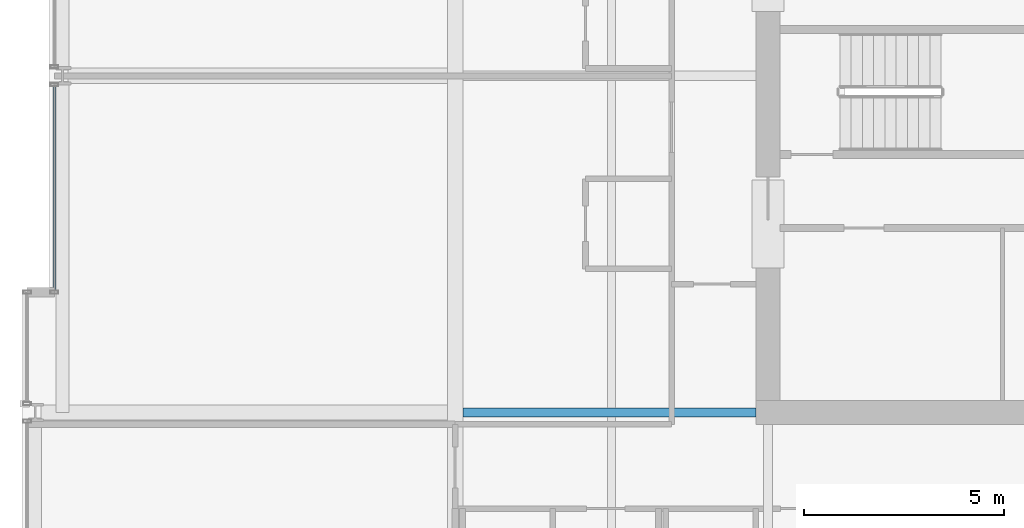
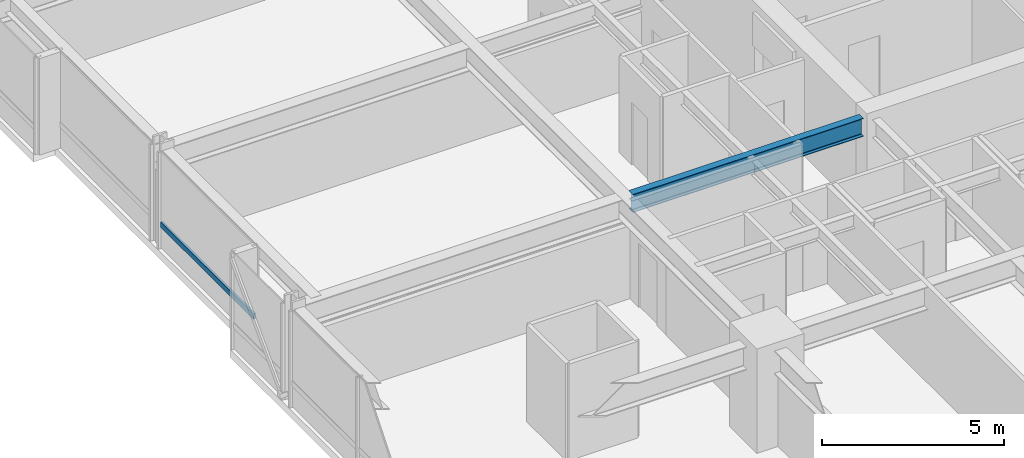
# One storey, part 8 of 35: 1 beam, 1 member, 1 element without a shape of its own.
"""IFC4 building model written with IfcOpenShell, lengths in metres."""

from ifc_helpers import new_model, si_unit, direction, frame, origin, origin_2d, place, context, subcontext, project, spatial, hollow_rectangle, i_section, extrude, material, layer, layer_set, material_profile, profile_set, type_object, element, aggregate, save


model = new_model("IFC4")

# Units and contexts
model_context = context("Model", 3, precision=1e-05, world=origin(), true_north=direction((0.0, 1.0)))
body_context = subcontext(model_context, "Body", "Model", "MODEL_VIEW")
ifc_project = project(units=[si_unit("LENGTHUNIT", "METRE"), si_unit("AREAUNIT", "SQUARE_METRE"), si_unit("VOLUMEUNIT", "CUBIC_METRE"), si_unit("PLANEANGLEUNIT", "RADIAN"), si_unit("MASSUNIT", "GRAM", prefix="KILO")], contexts=[model_context])

# Site, building, storey
site_placement = place(None, origin())
site = spatial("IfcSite", under=ifc_project, at=site_placement, CompositionType="ELEMENT")
building_placement = place(site_placement, origin())
building = spatial("IfcBuilding", under=site, at=building_placement, Name="Drelvath Grand Hotel", CompositionType="ELEMENT")
storey_placement = place(building_placement, frame((0.0, 0.0, 98.800048828125)))
storey = spatial("IfcBuildingStorey", under=building, at=storey_placement, Name="L24", CompositionType="ELEMENT", Elevation=98.800048828125)

# Curtain wall, member
ifc_material_1 = material(Name="Champagne Bronze Anodised Aluminium Frame", Category="aluminium")
ifc_layer = layer(ifc_material_1, 0.199951171875)
ifc_layer_set = layer_set([ifc_layer], Name="Champagne Bronze Anodised Aluminium Frame")
curtain_wall_type = type_object("IfcCurtainWallType", Name="Stick Curtain Wall CW-03 Champagne Bronze Mid-Rise", PredefinedType="NOTDEFINED", material=ifc_layer_set)
curtain_wall_placement = place(storey_placement, origin())
curtain_wall = element("IfcCurtainWall", 1, at=curtain_wall_placement, inside=storey, type_object=curtain_wall_type, Name="L24 CW-03 Curtain Wall CW03-L24-WM1", PredefinedType="NOTDEFINED")
ifc_material_profile_1 = material_profile(ifc_material_1, hollow_rectangle(XDim=0.074951171875, YDim=0.179931640625, WallThickness=0.0048828125, at=origin_2d()), Name="HSS180X75X5")
ifc_profile_set_1 = profile_set([ifc_material_profile_1], Name="Champagne Bronze Anodised Aluminium Frame")
member_type = type_object("IfcMemberType", Name="Curtain Wall Horizontal Transom CW-03 HSS180X75X5", PredefinedType="USERDEFINED", material=ifc_profile_set_1)
member_placement = place(storey_placement, frame((-26.199951171875, 21.639892578125, 0.81005859375), z_axis=(0.0, 1.0, 0.0), x_axis=(-1.0, 0.0, 0.0)))
member = element("IfcMember", 2, at=member_placement, type_object=member_type, Name="CW03-L24-WM1 Sill Transom", ObjectType="TRANSOM", PredefinedType="USERDEFINED", context=body_context, shape_type="SweptSolid", body=[
    extrude(hollow_rectangle(XDim=0.074951171875, YDim=0.179931640625, WallThickness=0.0048828125, at=origin_2d()), origin(), (0.0, 0.0, 1.0), 5.1005859375),
])
aggregate(curtain_wall, [member])

# Beam
ifc_material_2 = material(Name="Steel ASTM A992 Gr 50", Category="steel")
ifc_material_profile_2 = material_profile(ifc_material_2, i_section(OverallWidth=0.228271484375, OverallDepth=0.607666015625, WebThickness=0.01123046875, FlangeThickness=0.017333984375, FilletRadius=0.02001953125, at=origin_2d()), Name="W24X76")
ifc_profile_set_2 = profile_set([ifc_material_profile_2], Name="Steel ASTM A992 Gr 50")
beam_type = type_object("IfcBeamType", Name="Primary Floor Girder W24X76", PredefinedType="BEAM", material=ifc_profile_set_2)
beam_placement = place(storey_placement, frame((-16.009765625, 18.60009765625, 2.93603515625), z_axis=(1.0, 0.0, 0.0), x_axis=(0.0, 1.0, 0.0)))
element("IfcBeam", 3, at=beam_placement, inside=storey, type_object=beam_type, Name="L24 West Core Tie D", PredefinedType="BEAM", context=body_context, shape_type="SweptSolid", body=[
    extrude(i_section(OverallWidth=0.228271484375, OverallDepth=0.607666015625, WebThickness=0.01123046875, FlangeThickness=0.017333984375, FilletRadius=0.02001953125, at=origin_2d()), origin(), (0.0, 0.0, 1.0), 7.309814453125),
])

save(model, "model.ifc")
